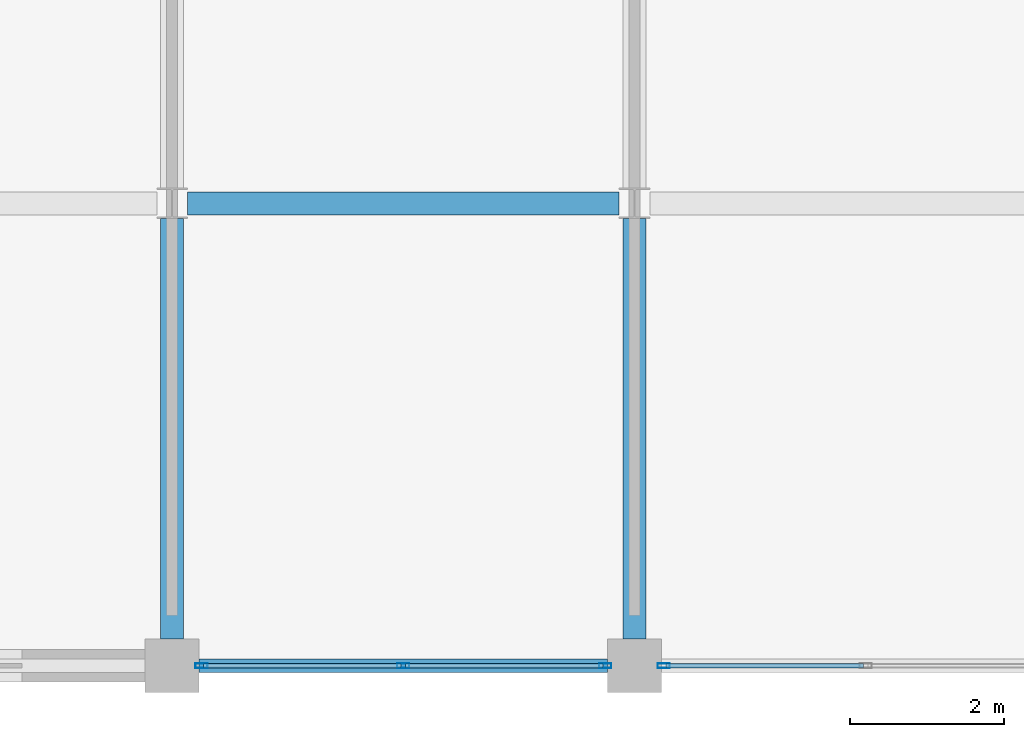
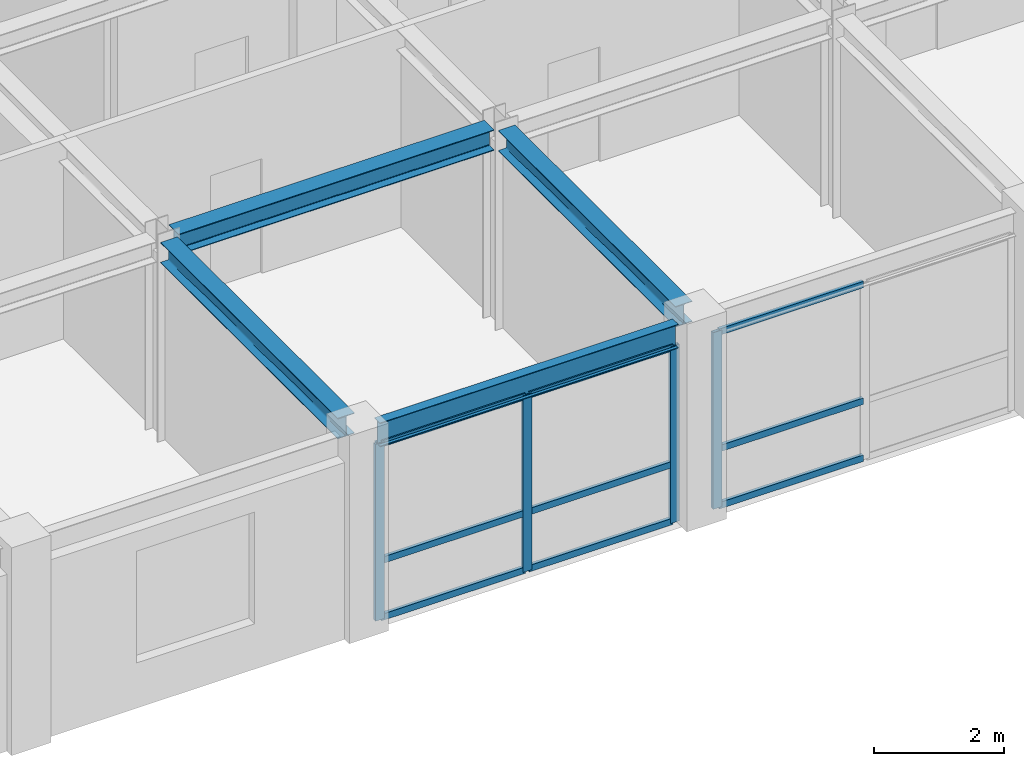
# One storey, part 4 of 14: 13 members, 4 beams, 2 elements without a shape of their own.
"""IFC4 building model written with IfcOpenShell, lengths in metres."""

from ifc_helpers import new_model, si_unit, direction, frame, origin, origin_2d, place, context, subcontext, project, spatial, hollow_rectangle, i_section, extrude, material, layer, layer_set, material_profile, profile_set, type_object, element, aggregate, save


model = new_model("IFC4")

# Units and contexts
model_context = context("Model", 3, precision=1e-05, world=origin(), true_north=direction((0.0, 1.0)))
body_context = subcontext(model_context, "Body", "Model", "MODEL_VIEW")
ifc_project = project(units=[si_unit("LENGTHUNIT", "METRE"), si_unit("AREAUNIT", "SQUARE_METRE"), si_unit("VOLUMEUNIT", "CUBIC_METRE"), si_unit("PLANEANGLEUNIT", "RADIAN"), si_unit("MASSUNIT", "GRAM", prefix="KILO")], contexts=[model_context])

# Site, building, storey
site_placement = place(None, origin())
site = spatial("IfcSite", under=ifc_project, at=site_placement, CompositionType="ELEMENT")
building_placement = place(site_placement, origin())
building = spatial("IfcBuilding", under=site, at=building_placement, Name="Zlatovratsky Civic Hall", CompositionType="ELEMENT")
storey_placement = place(building_placement, frame((0.0, 0.0, 28.800048828125)))
storey = spatial("IfcBuildingStorey", under=building, at=storey_placement, Name="L07", CompositionType="ELEMENT", Elevation=28.800048828125)

# Beams
ifc_material_1 = material(Name="Steel S355", Category="steel")
ifc_material_profile_1 = material_profile(ifc_material_1, i_section(OverallWidth=0.169921875, OverallDepth=0.446044921875, WebThickness=0.007568359375, FlangeThickness=0.010986328125, FilletRadius=0.01611328125, at=origin_2d()), Name="45B1")
ifc_profile_set_1 = profile_set([ifc_material_profile_1], Name="Steel S355")
beam_type_1 = type_object("IfcBeamType", Name="Beam_Spandrel_45B1", PredefinedType="SPANDREL", material=ifc_profile_set_1)
beam_1_placement = place(storey_placement, frame((78.35009765625, 72.0, 3.516845703125), z_axis=(1.0, 0.0, 0.0), x_axis=(0.0, 1.0, 0.0)))
element("IfcBeam", 1, at=beam_1_placement, inside=storey, type_object=beam_type_1, Name="BM-4249", PredefinedType="SPANDREL", context=body_context, shape_type="SweptSolid", body=[
    extrude(i_section(OverallWidth=0.169921875, OverallDepth=0.446044921875, WebThickness=0.007568359375, FlangeThickness=0.010986328125, FilletRadius=0.01611328125, at=origin_2d()), origin(), (0.0, 0.0, 1.0), 5.2998046875),
])
ifc_material_profile_2 = material_profile(ifc_material_1, i_section(OverallWidth=0.300048828125, OverallDepth=0.387939453125, WebThickness=0.009521484375, FlangeThickness=0.013916015625, FilletRadius=0.02197265625, at=origin_2d()), Name="40Sh1")
ifc_profile_set_2 = profile_set([ifc_material_profile_2], Name="Steel S355")
beam_type_2 = type_object("IfcBeamType", Name="Beam_TowerMid_40Sh1", PredefinedType="BEAM", material=ifc_profile_set_2)
beam_2_placement = place(storey_placement, frame((78.198974609375, 78.0, 3.5458984375), z_axis=(1.0, 0.0, 0.0), x_axis=(0.0, 1.0, 0.0)))
element("IfcBeam", 2, at=beam_2_placement, inside=storey, type_object=beam_type_2, Name="BM-4259", PredefinedType="BEAM", context=body_context, shape_type="SweptSolid", body=[
    extrude(i_section(OverallWidth=0.300048828125, OverallDepth=0.387939453125, WebThickness=0.009521484375, FlangeThickness=0.013916015625, FilletRadius=0.02197265625, at=origin_2d()), origin(), (0.0, 0.0, 1.0), 5.60205078125),
])
for number, where, z_axis, x_axis, name in (
    (3, (78.0, 72.35009765625, 3.5458984375), (0.0, 1.0, 0.0), (-1.0, 0.0, 0.0), "BM-4337"),
    (4, (84.0, 72.35009765625, 3.5458984375), (0.0, 1.0, 0.0), (-1.0, 0.0, 0.0), "BM-4343"),
):
    element("IfcBeam", number, at=place(storey_placement, frame(where, z_axis=z_axis, x_axis=x_axis)), inside=storey, type_object=beam_type_2, Name=name, PredefinedType="BEAM", context=body_context, shape_type="SweptSolid", body=[
        extrude(i_section(OverallWidth=0.300048828125, OverallDepth=0.387939453125, WebThickness=0.009521484375, FlangeThickness=0.013916015625, FilletRadius=0.02197265625, at=origin_2d()), origin(), (0.0, 0.0, 1.0), 5.452880859375),
    ])

# Curtain wall, members
ifc_material_2 = material(Name="Anodised bronze aluminium", Category="aluminium")
ifc_layer = layer(ifc_material_2, 0.159912109375)
ifc_layer_set = layer_set([ifc_layer], Name="Anodised bronze aluminium")
curtain_wall_type = type_object("IfcCurtainWallType", Name="CurtainWall_Bronze_5300x3320_21", PredefinedType="NOTDEFINED", material=ifc_layer_set)
curtain_wall_1_placement = place(storey_placement, origin())
curtain_wall_1 = element("IfcCurtainWall", 5, at=curtain_wall_1_placement, inside=storey, type_object=curtain_wall_type, Name="CW-137", PredefinedType="NOTDEFINED")
ifc_material_profile_3 = material_profile(ifc_material_2, hollow_rectangle(XDim=0.06005859375, YDim=0.159912109375, WallThickness=0.00390625, at=origin_2d()), Name="ALU 60x160x4")
ifc_profile_set_3 = profile_set([ifc_material_profile_3], Name="Anodised bronze aluminium")
member_type_1 = type_object("IfcMemberType", Name="CW_Mullion_60x160", PredefinedType="MULLION", material=ifc_profile_set_3)
member_1_placement = place(storey_placement, frame((78.3798828125, 72.0, 0.0), z_axis=(0.0, 0.0, 1.0), x_axis=(0.0, 1.0, 0.0)))
member_1 = element("IfcMember", 6, at=member_1_placement, type_object=member_type_1, Name="CW-21 mullion 1", PredefinedType="MULLION", context=body_context, shape_type="SweptSolid", body=[
    extrude(hollow_rectangle(XDim=0.06005859375, YDim=0.159912109375, WallThickness=0.00390625, at=origin_2d()), origin(), (0.0, 0.0, 1.0), 3.320068359375),
])
member_2_placement = place(storey_placement, frame((81.0, 72.0, 0.0), z_axis=(0.0, 0.0, 1.0), x_axis=(0.0, 1.0, 0.0)))
member_2 = element("IfcMember", 7, at=member_2_placement, type_object=member_type_1, Name="CW-21 mullion 2", PredefinedType="MULLION", context=body_context, shape_type="SweptSolid", body=[
    extrude(hollow_rectangle(XDim=0.06005859375, YDim=0.159912109375, WallThickness=0.00390625, at=origin_2d()), origin(), (0.0, 0.0, 1.0), 3.320068359375),
])
member_3_placement = place(storey_placement, frame((83.6201171875, 72.0, 0.0), z_axis=(0.0, 0.0, 1.0), x_axis=(0.0, 1.0, 0.0)))
member_3 = element("IfcMember", 8, at=member_3_placement, type_object=member_type_1, Name="CW-21 mullion 3", PredefinedType="MULLION", context=body_context, shape_type="SweptSolid", body=[
    extrude(hollow_rectangle(XDim=0.06005859375, YDim=0.159912109375, WallThickness=0.00390625, at=origin_2d()), origin(), (0.0, 0.0, 1.0), 3.320068359375),
])

# Curtain wall, member
curtain_wall_2_placement = place(storey_placement, origin())
curtain_wall_2 = element("IfcCurtainWall", 9, at=curtain_wall_2_placement, inside=storey, type_object=curtain_wall_type, Name="CW-138", PredefinedType="NOTDEFINED")
member_4_placement = place(storey_placement, frame((84.3798828125, 72.0, 0.0), z_axis=(0.0, 0.0, 1.0), x_axis=(0.0, 1.0, 0.0)))
member_4 = element("IfcMember", 10, at=member_4_placement, type_object=member_type_1, Name="CW-21 mullion 1", PredefinedType="MULLION", context=body_context, shape_type="SweptSolid", body=[
    extrude(hollow_rectangle(XDim=0.06005859375, YDim=0.159912109375, WallThickness=0.00390625, at=origin_2d()), origin(), (0.0, 0.0, 1.0), 3.320068359375),
])

# Member
ifc_material_profile_4 = material_profile(ifc_material_2, hollow_rectangle(XDim=0.06005859375, YDim=0.1201171875, WallThickness=0.00390625, at=origin_2d()), Name="ALU 60x120x4")
ifc_profile_set_4 = profile_set([ifc_material_profile_4], Name="Anodised bronze aluminium")
member_type_2 = type_object("IfcMemberType", Name="CW_Transom_60x120", PredefinedType="USERDEFINED", material=ifc_profile_set_4)
member_5_placement = place(storey_placement, frame((78.409912109375, 72.0, 0.030029296875), z_axis=(1.0, 0.0, 0.0), x_axis=(0.0, 1.0, 0.0)))
member_5 = element("IfcMember", 11, at=member_5_placement, type_object=member_type_2, Name="CW-21 transom 1.1", ObjectType="TRANSOM", PredefinedType="USERDEFINED", context=body_context, shape_type="SweptSolid", body=[
    extrude(hollow_rectangle(XDim=0.06005859375, YDim=0.1201171875, WallThickness=0.00390625, at=origin_2d()), origin(), (0.0, 0.0, 1.0), 2.56005859375),
])

member_6_placement = place(storey_placement, frame((78.409912109375, 72.0, 1.099853515625), z_axis=(1.0, 0.0, 0.0), x_axis=(0.0, 1.0, 0.0)))
member_6 = element("IfcMember", 12, at=member_6_placement, type_object=member_type_2, Name="CW-21 transom 1.2", ObjectType="TRANSOM", PredefinedType="USERDEFINED", context=body_context, shape_type="SweptSolid", body=[
    extrude(hollow_rectangle(XDim=0.06005859375, YDim=0.1201171875, WallThickness=0.00390625, at=origin_2d()), origin(), (0.0, 0.0, 1.0), 2.56005859375),
])

member_7_placement = place(storey_placement, frame((78.409912109375, 72.0, 3.2900390625), z_axis=(1.0, 0.0, 0.0), x_axis=(0.0, 1.0, 0.0)))
member_7 = element("IfcMember", 13, at=member_7_placement, type_object=member_type_2, Name="CW-21 transom 1.3", ObjectType="TRANSOM", PredefinedType="USERDEFINED", context=body_context, shape_type="SweptSolid", body=[
    extrude(hollow_rectangle(XDim=0.06005859375, YDim=0.1201171875, WallThickness=0.00390625, at=origin_2d()), origin(), (0.0, 0.0, 1.0), 2.56005859375),
])

member_8_placement = place(storey_placement, frame((81.030029296875, 72.0, 0.030029296875), z_axis=(1.0, 0.0, 0.0), x_axis=(0.0, 1.0, 0.0)))
member_8 = element("IfcMember", 14, at=member_8_placement, type_object=member_type_2, Name="CW-21 transom 2.1", ObjectType="TRANSOM", PredefinedType="USERDEFINED", context=body_context, shape_type="SweptSolid", body=[
    extrude(hollow_rectangle(XDim=0.06005859375, YDim=0.1201171875, WallThickness=0.00390625, at=origin_2d()), origin(), (0.0, 0.0, 1.0), 2.56005859375),
])

member_9_placement = place(storey_placement, frame((81.030029296875, 72.0, 1.099853515625), z_axis=(1.0, 0.0, 0.0), x_axis=(0.0, 1.0, 0.0)))
member_9 = element("IfcMember", 15, at=member_9_placement, type_object=member_type_2, Name="CW-21 transom 2.2", ObjectType="TRANSOM", PredefinedType="USERDEFINED", context=body_context, shape_type="SweptSolid", body=[
    extrude(hollow_rectangle(XDim=0.06005859375, YDim=0.1201171875, WallThickness=0.00390625, at=origin_2d()), origin(), (0.0, 0.0, 1.0), 2.56005859375),
])

member_10_placement = place(storey_placement, frame((81.030029296875, 72.0, 3.2900390625), z_axis=(1.0, 0.0, 0.0), x_axis=(0.0, 1.0, 0.0)))
member_10 = element("IfcMember", 16, at=member_10_placement, type_object=member_type_2, Name="CW-21 transom 2.3", ObjectType="TRANSOM", PredefinedType="USERDEFINED", context=body_context, shape_type="SweptSolid", body=[
    extrude(hollow_rectangle(XDim=0.06005859375, YDim=0.1201171875, WallThickness=0.00390625, at=origin_2d()), origin(), (0.0, 0.0, 1.0), 2.56005859375),
])

aggregate(curtain_wall_1, [member_1, member_2, member_3, member_5, member_6, member_7, member_8, member_9, member_10])

member_11_placement = place(storey_placement, frame((84.409912109375, 72.0, 0.030029296875), z_axis=(1.0, 0.0, 0.0), x_axis=(0.0, 1.0, 0.0)))
member_11 = element("IfcMember", 17, at=member_11_placement, type_object=member_type_2, Name="CW-21 transom 1.1", ObjectType="TRANSOM", PredefinedType="USERDEFINED", context=body_context, shape_type="SweptSolid", body=[
    extrude(hollow_rectangle(XDim=0.06005859375, YDim=0.1201171875, WallThickness=0.00390625, at=origin_2d()), origin(), (0.0, 0.0, 1.0), 2.56005859375),
])

member_12_placement = place(storey_placement, frame((84.409912109375, 72.0, 1.099853515625), z_axis=(1.0, 0.0, 0.0), x_axis=(0.0, 1.0, 0.0)))
member_12 = element("IfcMember", 18, at=member_12_placement, type_object=member_type_2, Name="CW-21 transom 1.2", ObjectType="TRANSOM", PredefinedType="USERDEFINED", context=body_context, shape_type="SweptSolid", body=[
    extrude(hollow_rectangle(XDim=0.06005859375, YDim=0.1201171875, WallThickness=0.00390625, at=origin_2d()), origin(), (0.0, 0.0, 1.0), 2.56005859375),
])

member_13_placement = place(storey_placement, frame((84.409912109375, 72.0, 3.2900390625), z_axis=(1.0, 0.0, 0.0), x_axis=(0.0, 1.0, 0.0)))
member_13 = element("IfcMember", 19, at=member_13_placement, type_object=member_type_2, Name="CW-21 transom 1.3", ObjectType="TRANSOM", PredefinedType="USERDEFINED", context=body_context, shape_type="SweptSolid", body=[
    extrude(hollow_rectangle(XDim=0.06005859375, YDim=0.1201171875, WallThickness=0.00390625, at=origin_2d()), origin(), (0.0, 0.0, 1.0), 2.56005859375),
])

aggregate(curtain_wall_2, [member_4, member_11, member_12, member_13])

save(model, "model.ifc")
